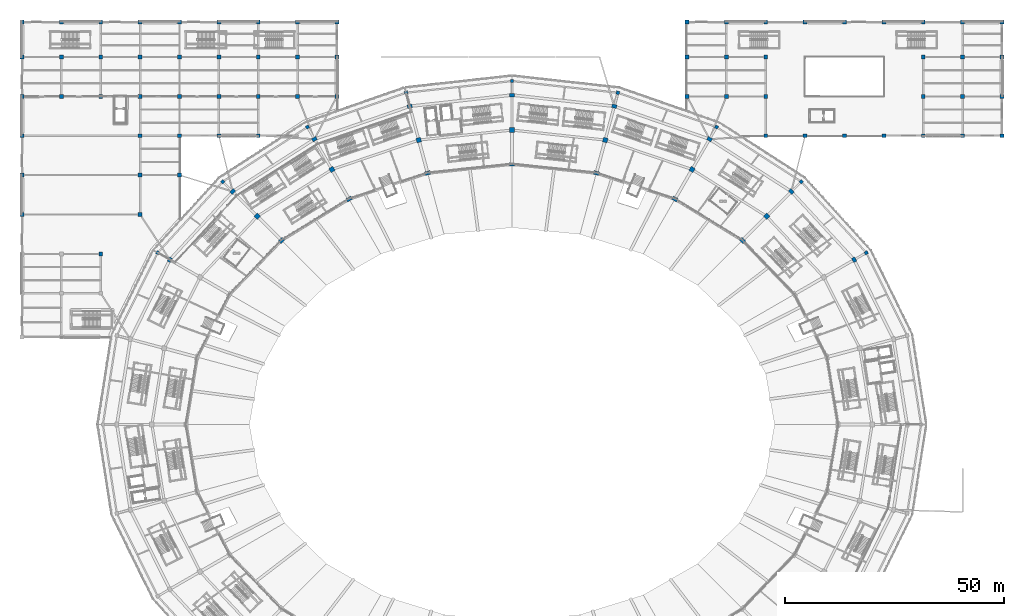
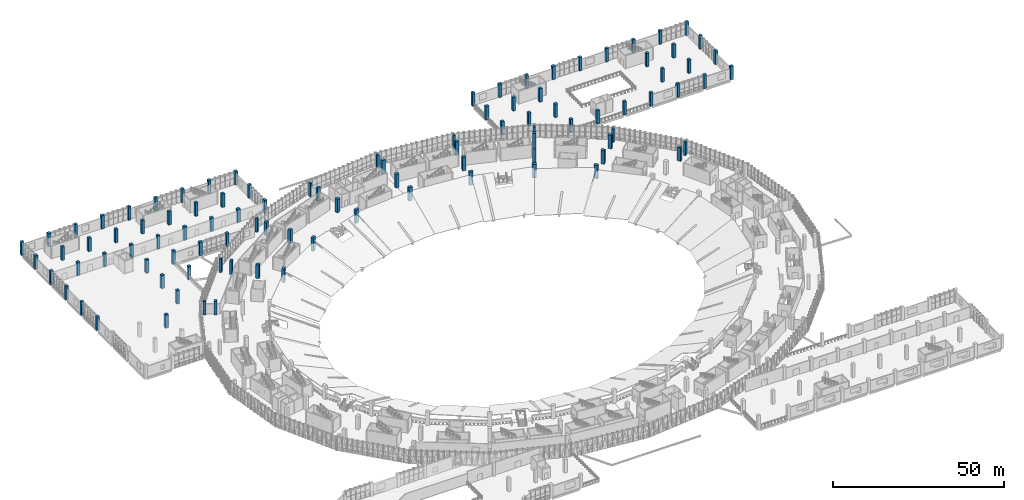
# One storey, part 2 of 183: 98 columns.
"""IFC4 building model written with IfcOpenShell, lengths in metres."""

from ifc_helpers import new_model, si_unit, direction, frame, origin, origin_2d, place, context, subcontext, project, spatial, rectangle, extrude, material, material_profile, profile_set, type_object, element, save


model = new_model("IFC4")

# Units and contexts
model_context = context("Model", 3, precision=1e-05, world=origin(), true_north=direction((0.0, 1.0)))
body_context = subcontext(model_context, "Body", "Model", "MODEL_VIEW")
ifc_project = project(units=[si_unit("LENGTHUNIT", "METRE"), si_unit("AREAUNIT", "SQUARE_METRE"), si_unit("VOLUMEUNIT", "CUBIC_METRE"), si_unit("PLANEANGLEUNIT", "RADIAN"), si_unit("MASSUNIT", "GRAM", prefix="KILO")], contexts=[model_context])

# Site, building, storey
site_placement = place(None, origin())
site = spatial("IfcSite", under=ifc_project, at=site_placement, CompositionType="ELEMENT")
building_placement = place(site_placement, origin())
building = spatial("IfcBuilding", under=site, at=building_placement, Name="Zevraka Park Crest Stadium", CompositionType="ELEMENT")
storey_placement = place(building_placement, frame((0.0, 0.0, 5.39990234375)))
storey = spatial("IfcBuildingStorey", under=building, at=storey_placement, Name="L01", CompositionType="ELEMENT", Elevation=5.39990234375)

# Columns
ifc_material_1 = material(Name="Concrete C40/50", Category="concrete")
ifc_material_profile_1 = material_profile(ifc_material_1, rectangle(XDim=0.85009765625, YDim=1.25, at=origin_2d()), Name="RC 1250x850")
ifc_profile_set_1 = profile_set([ifc_material_profile_1], Name="Concrete C40/50")
column_type_1 = type_object("IfcColumnType", Name="C01", PredefinedType="COLUMN", material=ifc_profile_set_1)
for number, where, z_axis, x_axis, name in (
    (1, (164.678955078125, 134.072998046875, 0.0), (0.0, 0.0, 1.0), (0.707106781187, 0.707106781187, 0.0), "Bowl Main Column C01 L01-B-03"),
    (2, (149.25, 143.529052734375, 0.0), (0.0, 0.0, 1.0), (0.5, 0.866025403784, 0.0), "Bowl Main Column C01 L01-B-04"),
    (3, (131.281982421875, 149.472900390625, 0.0), (0.0, 0.0, 1.0), (0.258819045103, 0.965925826289, 0.0), "Bowl Main Column C01 L01-B-05"),
    (4, (112.0, 151.5, 0.0), (0.0, 0.0, 1.0), (0.0, 1.0, 0.0), "Bowl Main Column C01 L01-B-06"),
    (5, (92.718017578125, 149.472900390625, 0.0), (0.0, 0.0, 1.0), (-0.258819045103, 0.965925826289, 0.0), "Bowl Main Column C01 L01-B-07"),
    (6, (74.75, 143.529052734375, 0.0), (0.0, 0.0, 1.0), (-0.5, 0.866025403784, 0.0), "Bowl Main Column C01 L01-B-08"),
    (7, (59.321044921875, 134.072998046875, 0.0), (0.0, 0.0, 1.0), (-0.707106781187, 0.707106781187, 0.0), "Bowl Main Column C01 L01-B-09"),
):
    element("IfcColumn", number, at=place(storey_placement, frame(where, z_axis=z_axis, x_axis=x_axis)), inside=storey, type_object=column_type_1, Name=name, PredefinedType="COLUMN", context=body_context, shape_type="SweptSolid", body=[
        extrude(rectangle(XDim=0.85009765625, YDim=1.25, at=origin_2d()), origin(), (0.0, 0.0, 1.0), 4.800048828125),
    ])
ifc_material_2 = material(Name="Concrete C40/50", Category="concrete")
ifc_material_profile_2 = material_profile(ifc_material_2, rectangle(XDim=0.800048828125, YDim=1.10009765625, at=origin_2d()), Name="RC 1100x800")
ifc_profile_set_2 = profile_set([ifc_material_profile_2], Name="Concrete C40/50")
column_type_2 = type_object("IfcColumnType", Name="C02", PredefinedType="COLUMN", material=ifc_profile_set_2)
for number, where, z_axis, x_axis, name in (
    (8, (190.201904296875, 129.64990234375, 0.0), (0.0, 0.0, 1.0), (0.866025403784, 0.5, 0.0), "Perimeter Ring Column C02 L01-D-02"),
    (9, (175.85205078125, 145.2451171875, 0.0), (0.0, 0.0, 1.0), (0.707106781187, 0.707106781187, 0.0), "Perimeter Ring Column C02 L01-D-03"),
    (10, (157.14990234375, 157.2119140625, 0.0), (0.0, 0.0, 1.0), (0.5, 0.866025403784, 0.0), "Perimeter Ring Column C02 L01-D-04"),
    (11, (135.37109375, 164.73388671875, 0.0), (0.0, 0.0, 1.0), (0.258819045103, 0.965925826289, 0.0), "Perimeter Ring Column C02 L01-D-05"),
    (12, (112.0, 167.300048828125, 0.0), (0.0, 0.0, 1.0), (0.0, 1.0, 0.0), "Perimeter Ring Column C02 L01-D-06"),
    (13, (88.62890625, 164.73388671875, 0.0), (0.0, 0.0, 1.0), (-0.258819045103, 0.965925826289, 0.0), "Perimeter Ring Column C02 L01-D-07"),
    (14, (66.85009765625, 157.2119140625, 0.0), (0.0, 0.0, 1.0), (-0.5, 0.866025403784, 0.0), "Perimeter Ring Column C02 L01-D-08"),
    (15, (48.14794921875, 145.2451171875, 0.0), (0.0, 0.0, 1.0), (-0.707106781187, 0.707106781187, 0.0), "Perimeter Ring Column C02 L01-D-09"),
    (16, (33.798095703125, 129.64990234375, 0.0), (0.0, 0.0, 1.0), (-0.866025403784, 0.5, 0.0), "Perimeter Ring Column C02 L01-D-10"),
):
    element("IfcColumn", number, at=place(storey_placement, frame(where, z_axis=z_axis, x_axis=x_axis)), inside=storey, type_object=column_type_2, Name=name, PredefinedType="COLUMN", context=body_context, shape_type="SweptSolid", body=[
        extrude(rectangle(XDim=0.800048828125, YDim=1.10009765625, at=origin_2d()), origin(), (0.0, 0.0, 1.0), 4.800048828125),
    ])
ifc_material_3 = material(Name="Concrete C40/50", Category="concrete")
ifc_material_profile_3 = material_profile(ifc_material_3, rectangle(XDim=1.050048828125, YDim=1.050048828125, at=origin_2d()), Name="RC 1050x1050")
ifc_profile_set_3 = profile_set([ifc_material_profile_3], Name="Concrete C40/50")
column_type_3 = type_object("IfcColumnType", Name="C03", PredefinedType="COLUMN", material=ifc_profile_set_3)
for number, where, z_axis, x_axis, name in (
    (17, (170.195068359375, 139.587890625, 0.0), (0.0, 0.0, 1.0), (0.707106781187, 0.707106781187, 0.0), "Concourse Mid Column C03 L01-C-03"),
    (18, (153.14990234375, 150.283935546875, 0.0), (0.0, 0.0, 1.0), (0.5, 0.866025403784, 0.0), "Concourse Mid Column C03 L01-C-04"),
    (19, (133.301025390625, 157.007080078125, 0.0), (0.0, 0.0, 1.0), (0.258819045103, 0.965925826289, 0.0), "Concourse Mid Column C03 L01-C-05"),
    (20, (112.0, 159.300048828125, 0.0), (0.0, 0.0, 1.0), (0.0, 1.0, 0.0), "Concourse Mid Column C03 L01-C-06"),
    (21, (90.698974609375, 157.007080078125, 0.0), (0.0, 0.0, 1.0), (-0.258819045103, 0.965925826289, 0.0), "Concourse Mid Column C03 L01-C-07"),
    (22, (70.85009765625, 150.283935546875, 0.0), (0.0, 0.0, 1.0), (-0.5, 0.866025403784, 0.0), "Concourse Mid Column C03 L01-C-08"),
    (23, (53.804931640625, 139.587890625, 0.0), (0.0, 0.0, 1.0), (-0.707106781187, 0.707106781187, 0.0), "Concourse Mid Column C03 L01-C-09"),
):
    element("IfcColumn", number, at=place(storey_placement, frame(where, z_axis=z_axis, x_axis=x_axis)), inside=storey, type_object=column_type_3, Name=name, PredefinedType="COLUMN", context=body_context, shape_type="SweptSolid", body=[
        extrude(rectangle(XDim=1.050048828125, YDim=1.050048828125, at=origin_2d()), origin(), (0.0, 0.0, 1.0), 4.800048828125),
    ])
ifc_material_4 = material(Name="Concrete C40/50", Category="concrete")
ifc_material_profile_4 = material_profile(ifc_material_4, rectangle(XDim=0.89990234375, YDim=0.89990234375, at=origin_2d()), Name="RC 900x900")
ifc_profile_set_4 = profile_set([ifc_material_profile_4], Name="Concrete C40/50")
column_type_4 = type_object("IfcColumnType", Name="C04", PredefinedType="COLUMN", material=ifc_profile_set_4)
for number, where, z_axis, x_axis, name in (
    (24, (152.0, 167.0, 0.0), (0.0, 0.0, 1.0), (1.0, 0.0, 0.0), "Wing Column C04 L01-17/U"),
    (25, (152.0, 176.0, 0.0), (0.0, 0.0, 1.0), (1.0, 0.0, 0.0), "Wing Column C04 L01-17/V"),
    (26, (152.0, 184.0, 0.0), (0.0, 0.0, 1.0), (1.0, 0.0, 0.0), "Wing Column C04 L01-17/W"),
    (27, (161.0, 167.0, 0.0), (0.0, 0.0, 1.0), (1.0, 0.0, 0.0), "Wing Column C04 L01-18/U"),
    (28, (161.0, 176.0, 0.0), (0.0, 0.0, 1.0), (1.0, 0.0, 0.0), "Wing Column C04 L01-18/V"),
    (29, (161.0, 184.0, 0.0), (0.0, 0.0, 1.0), (1.0, 0.0, 0.0), "Wing Column C04 L01-18/W"),
    (30, (170.0, 158.0, 0.0), (0.0, 0.0, 1.0), (1.0, 0.0, 0.0), "Wing Column C04 L01-19/T"),
    (31, (170.0, 167.0, 0.0), (0.0, 0.0, 1.0), (1.0, 0.0, 0.0), "Wing Column C04 L01-19/U"),
    (32, (170.0, 176.0, 0.0), (0.0, 0.0, 1.0), (1.0, 0.0, 0.0), "Wing Column C04 L01-19/V"),
    (33, (170.0, 184.0, 0.0), (0.0, 0.0, 1.0), (1.0, 0.0, 0.0), "Wing Column C04 L01-19/W"),
    (34, (179.0, 158.0, 0.0), (0.0, 0.0, 1.0), (1.0, 0.0, 0.0), "Wing Column C04 L01-20/T"),
    (35, (179.0, 184.0, 0.0), (0.0, 0.0, 1.0), (1.0, 0.0, 0.0), "Wing Column C04 L01-20/W"),
    (36, (188.0, 158.0, 0.0), (0.0, 0.0, 1.0), (1.0, 0.0, 0.0), "Wing Column C04 L01-21/T"),
    (37, (188.0, 184.0, 0.0), (0.0, 0.0, 1.0), (1.0, 0.0, 0.0), "Wing Column C04 L01-21/W"),
    (38, (197.0, 158.0, 0.0), (0.0, 0.0, 1.0), (1.0, 0.0, 0.0), "Wing Column C04 L01-22/T"),
    (39, (197.0, 184.0, 0.0), (0.0, 0.0, 1.0), (1.0, 0.0, 0.0), "Wing Column C04 L01-22/W"),
    (40, (206.0, 158.0, 0.0), (0.0, 0.0, 1.0), (1.0, 0.0, 0.0), "Wing Column C04 L01-23/T"),
    (41, (206.0, 167.0, 0.0), (0.0, 0.0, 1.0), (1.0, 0.0, 0.0), "Wing Column C04 L01-23/U"),
    (42, (206.0, 176.0, 0.0), (0.0, 0.0, 1.0), (1.0, 0.0, 0.0), "Wing Column C04 L01-23/V"),
    (43, (206.0, 184.0, 0.0), (0.0, 0.0, 1.0), (1.0, 0.0, 0.0), "Wing Column C04 L01-23/W"),
    (44, (215.0, 158.0, 0.0), (0.0, 0.0, 1.0), (1.0, 0.0, 0.0), "Wing Column C04 L01-24/T"),
    (45, (215.0, 167.0, 0.0), (0.0, 0.0, 1.0), (1.0, 0.0, 0.0), "Wing Column C04 L01-24/U"),
    (46, (215.0, 176.0, 0.0), (0.0, 0.0, 1.0), (1.0, 0.0, 0.0), "Wing Column C04 L01-24/V"),
    (47, (215.0, 184.0, 0.0), (0.0, 0.0, 1.0), (1.0, 0.0, 0.0), "Wing Column C04 L01-24/W"),
    (48, (224.0, 158.0, 0.0), (0.0, 0.0, 1.0), (1.0, 0.0, 0.0), "Wing Column C04 L01-25/T"),
    (49, (224.0, 167.0, 0.0), (0.0, 0.0, 1.0), (1.0, 0.0, 0.0), "Wing Column C04 L01-25/U"),
    (50, (224.0, 176.0, 0.0), (0.0, 0.0, 1.0), (1.0, 0.0, 0.0), "Wing Column C04 L01-25/V"),
    (51, (224.0, 184.0, 0.0), (0.0, 0.0, 1.0), (1.0, 0.0, 0.0), "Wing Column C04 L01-25/W"),
    (52, (0.0, 140.0, 0.0), (0.0, 0.0, 1.0), (1.0, 0.0, 0.0), "Wing Column C04 L01-1/R"),
    (53, (0.0, 149.0, 0.0), (0.0, 0.0, 1.0), (1.0, 0.0, 0.0), "Wing Column C04 L01-1/S"),
    (54, (0.0, 158.0, 0.0), (0.0, 0.0, 1.0), (1.0, 0.0, 0.0), "Wing Column C04 L01-1/T"),
    (55, (0.0, 167.0, 0.0), (0.0, 0.0, 1.0), (1.0, 0.0, 0.0), "Wing Column C04 L01-1/U"),
    (56, (0.0, 176.0, 0.0), (0.0, 0.0, 1.0), (1.0, 0.0, 0.0), "Wing Column C04 L01-1/V"),
    (57, (0.0, 184.0, 0.0), (0.0, 0.0, 1.0), (1.0, 0.0, 0.0), "Wing Column C04 L01-1/W"),
    (58, (9.0, 167.0, 0.0), (0.0, 0.0, 1.0), (1.0, 0.0, 0.0), "Wing Column C04 L01-2/U"),
    (59, (9.0, 176.0, 0.0), (0.0, 0.0, 1.0), (1.0, 0.0, 0.0), "Wing Column C04 L01-2/V"),
    (60, (9.0, 184.0, 0.0), (0.0, 0.0, 1.0), (1.0, 0.0, 0.0), "Wing Column C04 L01-2/W"),
    (61, (18.0, 131.0, 0.0), (0.0, 0.0, 1.0), (1.0, 0.0, 0.0), "Wing Column C04 L01-3/Q"),
    (62, (18.0, 167.0, 0.0), (0.0, 0.0, 1.0), (1.0, 0.0, 0.0), "Wing Column C04 L01-3/U"),
    (63, (18.0, 176.0, 0.0), (0.0, 0.0, 1.0), (1.0, 0.0, 0.0), "Wing Column C04 L01-3/V"),
    (64, (18.0, 184.0, 0.0), (0.0, 0.0, 1.0), (1.0, 0.0, 0.0), "Wing Column C04 L01-3/W"),
    (65, (27.0, 140.0, 0.0), (0.0, 0.0, 1.0), (1.0, 0.0, 0.0), "Wing Column C04 L01-4/R"),
    (66, (27.0, 149.0, 0.0), (0.0, 0.0, 1.0), (1.0, 0.0, 0.0), "Wing Column C04 L01-4/S"),
    (67, (27.0, 158.0, 0.0), (0.0, 0.0, 1.0), (1.0, 0.0, 0.0), "Wing Column C04 L01-4/T"),
    (68, (27.0, 167.0, 0.0), (0.0, 0.0, 1.0), (1.0, 0.0, 0.0), "Wing Column C04 L01-4/U"),
    (69, (27.0, 176.0, 0.0), (0.0, 0.0, 1.0), (1.0, 0.0, 0.0), "Wing Column C04 L01-4/V"),
    (70, (27.0, 184.0, 0.0), (0.0, 0.0, 1.0), (1.0, 0.0, 0.0), "Wing Column C04 L01-4/W"),
    (71, (36.0, 149.0, 0.0), (0.0, 0.0, 1.0), (1.0, 0.0, 0.0), "Wing Column C04 L01-5/S"),
    (72, (36.0, 158.0, 0.0), (0.0, 0.0, 1.0), (1.0, 0.0, 0.0), "Wing Column C04 L01-5/T"),
    (73, (36.0, 167.0, 0.0), (0.0, 0.0, 1.0), (1.0, 0.0, 0.0), "Wing Column C04 L01-5/U"),
    (74, (36.0, 176.0, 0.0), (0.0, 0.0, 1.0), (1.0, 0.0, 0.0), "Wing Column C04 L01-5/V"),
    (75, (36.0, 184.0, 0.0), (0.0, 0.0, 1.0), (1.0, 0.0, 0.0), "Wing Column C04 L01-5/W"),
    (76, (45.0, 158.0, 0.0), (0.0, 0.0, 1.0), (1.0, 0.0, 0.0), "Wing Column C04 L01-6/T"),
    (77, (45.0, 167.0, 0.0), (0.0, 0.0, 1.0), (1.0, 0.0, 0.0), "Wing Column C04 L01-6/U"),
    (78, (45.0, 176.0, 0.0), (0.0, 0.0, 1.0), (1.0, 0.0, 0.0), "Wing Column C04 L01-6/V"),
    (79, (45.0, 184.0, 0.0), (0.0, 0.0, 1.0), (1.0, 0.0, 0.0), "Wing Column C04 L01-6/W"),
    (80, (54.0, 158.0, 0.0), (0.0, 0.0, 1.0), (1.0, 0.0, 0.0), "Wing Column C04 L01-7/T"),
    (81, (54.0, 167.0, 0.0), (0.0, 0.0, 1.0), (1.0, 0.0, 0.0), "Wing Column C04 L01-7/U"),
    (82, (54.0, 176.0, 0.0), (0.0, 0.0, 1.0), (1.0, 0.0, 0.0), "Wing Column C04 L01-7/V"),
    (83, (54.0, 184.0, 0.0), (0.0, 0.0, 1.0), (1.0, 0.0, 0.0), "Wing Column C04 L01-7/W"),
    (84, (63.0, 167.0, 0.0), (0.0, 0.0, 1.0), (1.0, 0.0, 0.0), "Wing Column C04 L01-8/U"),
    (85, (63.0, 176.0, 0.0), (0.0, 0.0, 1.0), (1.0, 0.0, 0.0), "Wing Column C04 L01-8/V"),
    (86, (63.0, 184.0, 0.0), (0.0, 0.0, 1.0), (1.0, 0.0, 0.0), "Wing Column C04 L01-8/W"),
    (87, (72.0, 167.0, 0.0), (0.0, 0.0, 1.0), (1.0, 0.0, 0.0), "Wing Column C04 L01-9/U"),
    (88, (72.0, 176.0, 0.0), (0.0, 0.0, 1.0), (1.0, 0.0, 0.0), "Wing Column C04 L01-9/V"),
    (89, (72.0, 184.0, 0.0), (0.0, 0.0, 1.0), (1.0, 0.0, 0.0), "Wing Column C04 L01-9/W"),
):
    element("IfcColumn", number, at=place(storey_placement, frame(where, z_axis=z_axis, x_axis=x_axis)), inside=storey, type_object=column_type_4, Name=name, PredefinedType="COLUMN", context=body_context, shape_type="SweptSolid", body=[
        extrude(rectangle(XDim=0.89990234375, YDim=0.89990234375, at=origin_2d()), origin(), (0.0, 0.0, 1.0), 4.800048828125),
    ])
ifc_material_5 = material(Name="Concrete C40/50", Category="concrete")
ifc_material_profile_5 = material_profile(ifc_material_5, rectangle(XDim=0.75, YDim=0.75, at=origin_2d()), Name="RC 750x750")
ifc_profile_set_5 = profile_set([ifc_material_profile_5], Name="Concrete C40/50")
column_type_5 = type_object("IfcColumnType", Name="C05", PredefinedType="COLUMN", material=ifc_profile_set_5)
for number, where, z_axis, x_axis, name in (
    (90, (192.972900390625, 131.25, 0.0), (0.0, 0.0, 1.0), (0.866025403784, 0.5, 0.0), "Arcade Cumba Column C05 L01-E-02"),
    (91, (178.114013671875, 147.508056640625, 0.0), (0.0, 0.0, 1.0), (0.707106781187, 0.707106781187, 0.0), "Arcade Cumba Column C05 L01-E-03"),
    (92, (158.75, 159.98291015625, 0.0), (0.0, 0.0, 1.0), (0.5, 0.866025403784, 0.0), "Arcade Cumba Column C05 L01-E-04"),
    (93, (136.199951171875, 167.824951171875, 0.0), (0.0, 0.0, 1.0), (0.258819045103, 0.965925826289, 0.0), "Arcade Cumba Column C05 L01-E-05"),
    (94, (112.0, 170.5, 0.0), (0.0, 0.0, 1.0), (0.0, 1.0, 0.0), "Arcade Cumba Column C05 L01-E-06"),
    (95, (87.800048828125, 167.824951171875, 0.0), (0.0, 0.0, 1.0), (-0.258819045103, 0.965925826289, 0.0), "Arcade Cumba Column C05 L01-E-07"),
    (96, (65.25, 159.98291015625, 0.0), (0.0, 0.0, 1.0), (-0.5, 0.866025403784, 0.0), "Arcade Cumba Column C05 L01-E-08"),
    (97, (45.885986328125, 147.508056640625, 0.0), (0.0, 0.0, 1.0), (-0.707106781187, 0.707106781187, 0.0), "Arcade Cumba Column C05 L01-E-09"),
    (98, (31.027099609375, 131.25, 0.0), (0.0, 0.0, 1.0), (-0.866025403784, 0.5, 0.0), "Arcade Cumba Column C05 L01-E-10"),
):
    element("IfcColumn", number, at=place(storey_placement, frame(where, z_axis=z_axis, x_axis=x_axis)), inside=storey, type_object=column_type_5, Name=name, PredefinedType="COLUMN", context=body_context, shape_type="SweptSolid", body=[
        extrude(rectangle(XDim=0.75, YDim=0.75, at=origin_2d()), origin(), (0.0, 0.0, 1.0), 4.800048828125),
    ])

save(model, "model.ifc")
